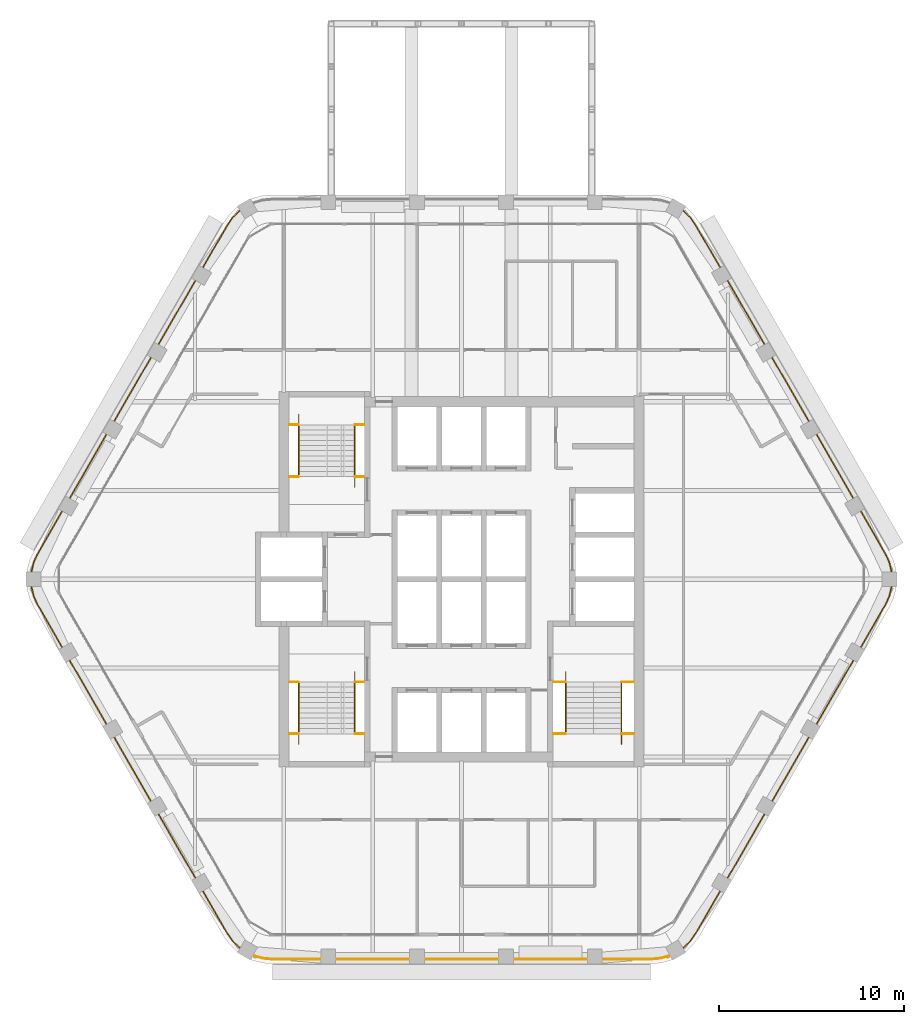
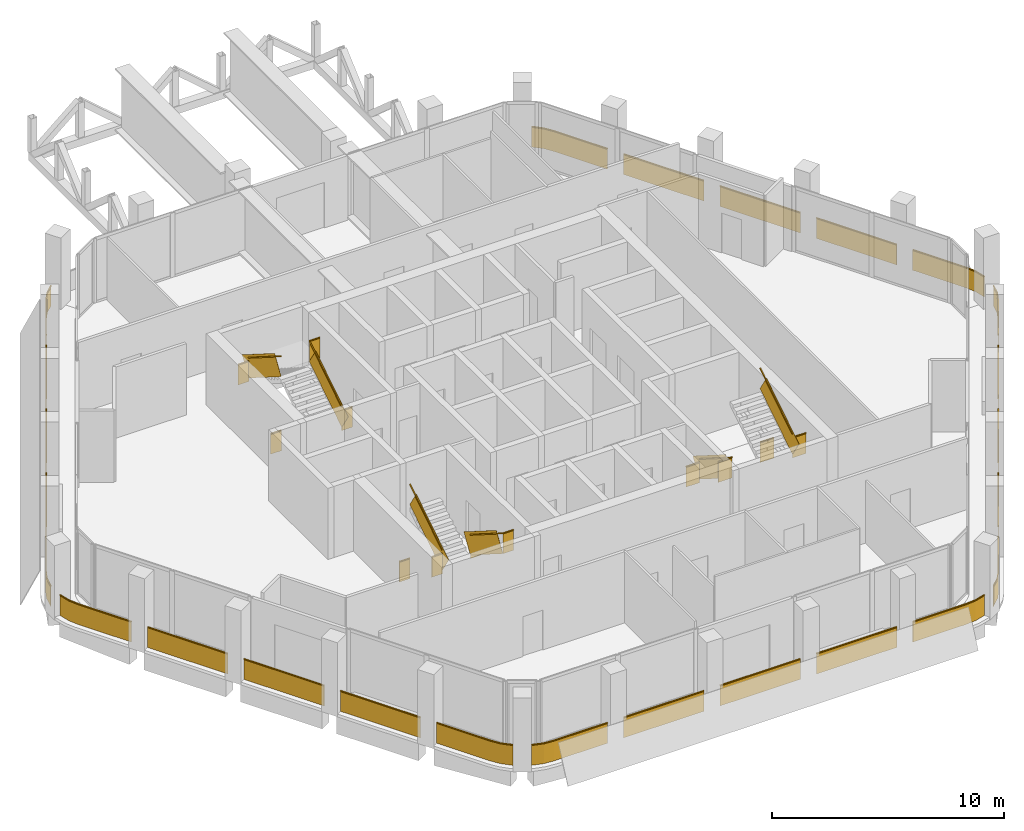
# One storey, part 13 of 14: 11 railings.
"""IFC4 building model written with IfcOpenShell, lengths in metres."""

from ifc_helpers import new_model, si_unit, direction, frame, frame_2d, origin, origin_2d, place, context, subcontext, project, spatial, rectangle, extrude, material, type_object, element, save


model = new_model("IFC4")

# Units and contexts
model_context = context("Model", 3, precision=1e-05, world=origin(), true_north=direction((0.0, 1.0)))
body_context = subcontext(model_context, "Body", "Model", "MODEL_VIEW")
ifc_project = project(units=[si_unit("LENGTHUNIT", "METRE"), si_unit("AREAUNIT", "SQUARE_METRE"), si_unit("VOLUMEUNIT", "CUBIC_METRE"), si_unit("PLANEANGLEUNIT", "RADIAN"), si_unit("MASSUNIT", "GRAM", prefix="KILO")], contexts=[model_context])

# Site, building, storey
site_placement = place(None, origin())
site = spatial("IfcSite", under=ifc_project, at=site_placement, CompositionType="ELEMENT")
building_placement = place(site_placement, origin())
building = spatial("IfcBuilding", under=site, at=building_placement, Name="Kolab Exchange Tower", CompositionType="ELEMENT")
storey_placement = place(building_placement, frame((0.0, 0.0, 265.699951171875)))
storey = spatial("IfcBuildingStorey", under=building, at=storey_placement, Name="L59", CompositionType="ELEMENT", Elevation=265.699951171875)

# Railings
ifc_material_1 = material(Name="Stainless steel 316", Category="steel")
railing_type_1 = type_object("IfcRailingType", Name="GUARD 1100", PredefinedType="GUARDRAIL", material=ifc_material_1)
railing_1_placement = place(storey_placement, frame((-9.324951171875, 5.550048828125, 0.0)))
element("IfcRailing", 1, at=railing_1_placement, inside=storey, type_object=railing_type_1, Name="Guard ST1", PredefinedType="GUARDRAIL", context=body_context, shape_type="SweptSolid", body=[
    extrude(rectangle(XDim=0.05, YDim=0.05, at=origin_2d()), frame((0.0, 0.0, 1.0751953125), z_axis=(1.0, 0.0, 0.0), x_axis=(0.0, 1.0, 0.0)), (0.0, 0.0, 1.0), 0.52734375),
    extrude(rectangle(XDim=0.012, YDim=1.05009765625, at=frame_2d((0.0, 0.525146484375))), frame((0.0, 0.0, 0.0), z_axis=(1.0, 0.0, 0.0), x_axis=(0.0, 1.0, 0.0)), (0.0, 0.0, 1.0), 0.52734375),
    extrude(rectangle(XDim=0.05, YDim=0.05, at=origin_2d()), frame((3.54736328125, 0.0, 1.0751953125), z_axis=(1.0, 0.0, 0.0), x_axis=(0.0, 1.0, 0.0)), (0.0, 0.0, 1.0), 0.527587890625),
    extrude(rectangle(XDim=0.012, YDim=1.05009765625, at=frame_2d((0.0, 0.525146484375))), frame((3.54736328125, 0.0, 0.0), z_axis=(1.0, 0.0, 0.0), x_axis=(0.0, 1.0, 0.0)), (0.0, 0.0, 1.0), 0.527587890625),
    extrude(rectangle(XDim=0.05, YDim=0.05, at=origin_2d()), frame((0.0, 2.800048828125, 3.025146484375), z_axis=(1.0, 0.0, 0.0), x_axis=(0.0, 1.0, 0.0)), (0.0, 0.0, 1.0), 0.52734375),
    extrude(rectangle(XDim=0.012, YDim=1.05009765625, at=frame_2d((0.0, 0.525146484375))), frame((0.0, 2.800048828125, 1.949951171875), z_axis=(1.0, 0.0, 0.0), x_axis=(0.0, 1.0, 0.0)), (0.0, 0.0, 1.0), 0.52734375),
    extrude(rectangle(XDim=0.05, YDim=0.05, at=origin_2d()), frame((3.54736328125, 2.800048828125, 3.025146484375), z_axis=(1.0, 0.0, 0.0), x_axis=(0.0, 1.0, 0.0)), (0.0, 0.0, 1.0), 0.527587890625),
    extrude(rectangle(XDim=0.012, YDim=1.05009765625, at=frame_2d((0.0, 0.525146484375))), frame((3.54736328125, 2.800048828125, 1.949951171875), z_axis=(1.0, 0.0, 0.0), x_axis=(0.0, 1.0, 0.0)), (0.0, 0.0, 1.0), 0.527587890625),
])
railing_2_placement = place(storey_placement, frame((-5.777587890625, 5.550048828125, 0.17724609375)))
element("IfcRailing", 2, at=railing_2_placement, inside=storey, type_object=railing_type_1, Name="Handrail guard ST1", PredefinedType="GUARDRAIL", context=body_context, shape_type="SweptSolid", body=[
    extrude(rectangle(XDim=0.05, YDim=0.05, at=origin_2d()), frame((0.0, 0.0, 1.0751953125), z_axis=(0.0, 0.844908973607, 0.534910110503), x_axis=(-1.0, 0.0, 0.0)), (0.0, 0.0, 1.0), 3.31396484375),
    extrude(rectangle(XDim=0.012, YDim=1.05009765625, at=frame_2d((0.0, 0.525146484375))), frame((0.0, 0.0, 0.0), z_axis=(0.0, 0.844908973607, 0.534910110503), x_axis=(-1.0, 0.0, 0.0)), (0.0, 0.0, 1.0), 3.31396484375),
    extrude(rectangle(XDim=0.05, YDim=0.05, at=origin_2d()), frame((-3.02001953125, 2.800048828125, 3.025390625), z_axis=(0.0, -0.844908973607, 0.534910110503), x_axis=(1.0, 0.0, 0.0)), (0.0, 0.0, 1.0), 3.31396484375),
    extrude(rectangle(XDim=0.012, YDim=1.05009765625, at=frame_2d((0.0, 0.525146484375))), frame((-3.02001953125, 2.800048828125, 1.9501953125), z_axis=(0.0, -0.844908973607, 0.534910110503), x_axis=(1.0, 0.0, 0.0)), (0.0, 0.0, 1.0), 3.31396484375),
])
railing_3_placement = place(storey_placement, frame((-9.324951171875, -5.550048828125, 0.0)))
element("IfcRailing", 3, at=railing_3_placement, inside=storey, type_object=railing_type_1, Name="Guard ST3", PredefinedType="GUARDRAIL", context=body_context, shape_type="SweptSolid", body=[
    extrude(rectangle(XDim=0.05, YDim=0.05, at=origin_2d()), frame((0.0, 0.0, 1.0751953125), z_axis=(1.0, 0.0, 0.0), x_axis=(0.0, 1.0, 0.0)), (0.0, 0.0, 1.0), 0.52734375),
    extrude(rectangle(XDim=0.012, YDim=1.05009765625, at=frame_2d((0.0, 0.525146484375))), frame((0.0, 0.0, 0.0), z_axis=(1.0, 0.0, 0.0), x_axis=(0.0, 1.0, 0.0)), (0.0, 0.0, 1.0), 0.52734375),
    extrude(rectangle(XDim=0.05, YDim=0.05, at=origin_2d()), frame((3.54736328125, 0.0, 1.0751953125), z_axis=(1.0, 0.0, 0.0), x_axis=(0.0, 1.0, 0.0)), (0.0, 0.0, 1.0), 0.527587890625),
    extrude(rectangle(XDim=0.012, YDim=1.05009765625, at=frame_2d((0.0, 0.525146484375))), frame((3.54736328125, 0.0, 0.0), z_axis=(1.0, 0.0, 0.0), x_axis=(0.0, 1.0, 0.0)), (0.0, 0.0, 1.0), 0.527587890625),
    extrude(rectangle(XDim=0.05, YDim=0.05, at=origin_2d()), frame((0.0, -2.800048828125, 3.025146484375), z_axis=(1.0, 0.0, 0.0), x_axis=(0.0, 1.0, 0.0)), (0.0, 0.0, 1.0), 0.52734375),
    extrude(rectangle(XDim=0.012, YDim=1.05009765625, at=frame_2d((0.0, 0.525146484375))), frame((0.0, -2.800048828125, 1.949951171875), z_axis=(1.0, 0.0, 0.0), x_axis=(0.0, 1.0, 0.0)), (0.0, 0.0, 1.0), 0.52734375),
    extrude(rectangle(XDim=0.05, YDim=0.05, at=origin_2d()), frame((3.54736328125, -2.800048828125, 3.025146484375), z_axis=(1.0, 0.0, 0.0), x_axis=(0.0, 1.0, 0.0)), (0.0, 0.0, 1.0), 0.527587890625),
    extrude(rectangle(XDim=0.012, YDim=1.05009765625, at=frame_2d((0.0, 0.525146484375))), frame((3.54736328125, -2.800048828125, 1.949951171875), z_axis=(1.0, 0.0, 0.0), x_axis=(0.0, 1.0, 0.0)), (0.0, 0.0, 1.0), 0.527587890625),
])
railing_4_placement = place(storey_placement, frame((-5.777587890625, -5.550048828125, 0.17724609375)))
element("IfcRailing", 4, at=railing_4_placement, inside=storey, type_object=railing_type_1, Name="Handrail guard ST3", PredefinedType="GUARDRAIL", context=body_context, shape_type="SweptSolid", body=[
    extrude(rectangle(XDim=0.05, YDim=0.05, at=origin_2d()), frame((0.0, 0.0, 1.0751953125), z_axis=(0.0, -0.844908973607, 0.534910110503), x_axis=(1.0, 0.0, 0.0)), (0.0, 0.0, 1.0), 3.31396484375),
    extrude(rectangle(XDim=0.012, YDim=1.05009765625, at=frame_2d((0.0, 0.525146484375))), frame((0.0, 0.0, 0.0), z_axis=(0.0, -0.844908973607, 0.534910110503), x_axis=(1.0, 0.0, 0.0)), (0.0, 0.0, 1.0), 3.31396484375),
    extrude(rectangle(XDim=0.05, YDim=0.05, at=origin_2d()), frame((-3.02001953125, -2.800048828125, 3.025390625), z_axis=(0.0, 0.844908973607, 0.534910110503), x_axis=(-1.0, 0.0, 0.0)), (0.0, 0.0, 1.0), 3.31396484375),
    extrude(rectangle(XDim=0.012, YDim=1.05009765625, at=frame_2d((0.0, 0.525146484375))), frame((-3.02001953125, -2.800048828125, 1.9501953125), z_axis=(0.0, 0.844908973607, 0.534910110503), x_axis=(-1.0, 0.0, 0.0)), (0.0, 0.0, 1.0), 3.31396484375),
])
railing_5_placement = place(storey_placement, frame((4.949951171875, -5.550048828125, 0.0)))
element("IfcRailing", 5, at=railing_5_placement, inside=storey, type_object=railing_type_1, Name="Guard ST2", PredefinedType="GUARDRAIL", context=body_context, shape_type="SweptSolid", body=[
    extrude(rectangle(XDim=0.05, YDim=0.05, at=origin_2d()), frame((0.0, 0.0, 1.0751953125), z_axis=(1.0, 0.0, 0.0), x_axis=(0.0, 1.0, 0.0)), (0.0, 0.0, 1.0), 0.677490234375),
    extrude(rectangle(XDim=0.012, YDim=1.05009765625, at=frame_2d((0.0, 0.525146484375))), frame((0.0, 0.0, 0.0), z_axis=(1.0, 0.0, 0.0), x_axis=(0.0, 1.0, 0.0)), (0.0, 0.0, 1.0), 0.677490234375),
    extrude(rectangle(XDim=0.05, YDim=0.05, at=origin_2d()), frame((3.697509765625, 0.0, 1.0751953125), z_axis=(1.0, 0.0, 0.0), x_axis=(0.0, 1.0, 0.0)), (0.0, 0.0, 1.0), 0.677490234375),
    extrude(rectangle(XDim=0.012, YDim=1.05009765625, at=frame_2d((0.0, 0.525146484375))), frame((3.697509765625, 0.0, 0.0), z_axis=(1.0, 0.0, 0.0), x_axis=(0.0, 1.0, 0.0)), (0.0, 0.0, 1.0), 0.677490234375),
    extrude(rectangle(XDim=0.05, YDim=0.05, at=origin_2d()), frame((0.0, -2.800048828125, 3.025146484375), z_axis=(1.0, 0.0, 0.0), x_axis=(0.0, 1.0, 0.0)), (0.0, 0.0, 1.0), 0.677490234375),
    extrude(rectangle(XDim=0.012, YDim=1.05009765625, at=frame_2d((0.0, 0.525146484375))), frame((0.0, -2.800048828125, 1.949951171875), z_axis=(1.0, 0.0, 0.0), x_axis=(0.0, 1.0, 0.0)), (0.0, 0.0, 1.0), 0.677490234375),
    extrude(rectangle(XDim=0.05, YDim=0.05, at=origin_2d()), frame((3.697509765625, -2.800048828125, 3.025146484375), z_axis=(1.0, 0.0, 0.0), x_axis=(0.0, 1.0, 0.0)), (0.0, 0.0, 1.0), 0.677490234375),
    extrude(rectangle(XDim=0.012, YDim=1.05009765625, at=frame_2d((0.0, 0.525146484375))), frame((3.697509765625, -2.800048828125, 1.949951171875), z_axis=(1.0, 0.0, 0.0), x_axis=(0.0, 1.0, 0.0)), (0.0, 0.0, 1.0), 0.677490234375),
])
railing_6_placement = place(storey_placement, frame((5.62744140625, -5.550048828125, 0.17724609375)))
element("IfcRailing", 6, at=railing_6_placement, inside=storey, type_object=railing_type_1, Name="Handrail guard ST2", PredefinedType="GUARDRAIL", context=body_context, shape_type="SweptSolid", body=[
    extrude(rectangle(XDim=0.05, YDim=0.05, at=origin_2d()), frame((0.0, 0.0, 1.0751953125), z_axis=(0.0, -0.844908973607, 0.534910110503), x_axis=(1.0, 0.0, 0.0)), (0.0, 0.0, 1.0), 3.31396484375),
    extrude(rectangle(XDim=0.012, YDim=1.05009765625, at=frame_2d((0.0, 0.525146484375))), frame((0.0, 0.0, 0.0), z_axis=(0.0, -0.844908973607, 0.534910110503), x_axis=(1.0, 0.0, 0.0)), (0.0, 0.0, 1.0), 3.31396484375),
    extrude(rectangle(XDim=0.05, YDim=0.05, at=origin_2d()), frame((3.02001953125, -2.800048828125, 3.025390625), z_axis=(0.0, 0.844908973607, 0.534910110503), x_axis=(-1.0, 0.0, 0.0)), (0.0, 0.0, 1.0), 3.31396484375),
    extrude(rectangle(XDim=0.012, YDim=1.05009765625, at=frame_2d((0.0, 0.525146484375))), frame((3.02001953125, -2.800048828125, 1.9501953125), z_axis=(0.0, 0.844908973607, 0.534910110503), x_axis=(-1.0, 0.0, 0.0)), (0.0, 0.0, 1.0), 3.31396484375),
])
ifc_material_2 = material(Name="Steel S235", Category="steel")
railing_type_2 = type_object("IfcRailingType", Name="GUARD 1100 GLASS BALUSTRADE AND STEEL TOP RAIL", PredefinedType="GUARDRAIL", material=ifc_material_2)
railing_7_placement = place(storey_placement, frame((23.2509765625, 0.3984375, 0.0)))
element("IfcRailing", 7, at=railing_7_placement, inside=storey, type_object=railing_type_2, Name="Guard", PredefinedType="GUARDRAIL", context=body_context, shape_type="SweptSolid", body=[
    extrude(rectangle(XDim=0.05, YDim=0.05, at=origin_2d()), frame((0.0, 0.0, 1.0751953125), z_axis=(-0.234597748196, 0.972092534968, 0.0), x_axis=(-0.972092534968, -0.234597748196, 0.0)), (0.0, 0.0, 1.0), 0.557861328125),
    extrude(rectangle(XDim=0.012, YDim=1.05009765625, at=frame_2d((0.0, 0.525146484375))), frame((0.0, 0.0, 0.0), z_axis=(-0.234597748196, 0.972092534968, 0.0), x_axis=(-0.972092534968, -0.234597748196, 0.0)), (0.0, 0.0, 1.0), 0.557861328125),
    extrude(rectangle(XDim=0.05, YDim=0.05, at=origin_2d()), frame((-0.130859375, 0.542236328125, 1.0751953125), z_axis=(-0.422801802984, 0.906222177721, 0.0), x_axis=(-0.906222177721, -0.422801802984, 0.0)), (0.0, 0.0, 1.0), 0.479248046875),
    extrude(rectangle(XDim=0.012, YDim=1.05009765625, at=frame_2d((0.0, 0.525146484375))), frame((-0.130859375, 0.542236328125, 0.0), z_axis=(-0.422801802984, 0.906222177721, 0.0), x_axis=(-0.906222177721, -0.422801802984, 0.0)), (0.0, 0.0, 1.0), 0.479248046875),
    extrude(rectangle(XDim=0.05, YDim=0.05, at=origin_2d()), frame((-0.33349609375, 0.9765625, 1.0751953125), z_axis=(-0.499997052475, 0.866027105532, 0.0), x_axis=(-0.866027105532, -0.499997052475, 0.0)), (0.0, 0.0, 1.0), 2.66796875),
    extrude(rectangle(XDim=0.012, YDim=1.05009765625, at=frame_2d((0.0, 0.525146484375))), frame((-0.33349609375, 0.9765625, 0.0), z_axis=(-0.499997052475, 0.866027105532, 0.0), x_axis=(-0.866027105532, -0.499997052475, 0.0)), (0.0, 0.0, 1.0), 2.66796875),
    extrude(rectangle(XDim=0.05, YDim=0.05, at=origin_2d()), frame((-2.0673828125, 3.97998046875, 1.0751953125), z_axis=(-0.49999894854, 0.866026010844, 0.0), x_axis=(-0.866026010844, -0.49999894854, 0.0)), (0.0, 0.0, 1.0), 4.0),
    extrude(rectangle(XDim=0.012, YDim=1.05009765625, at=frame_2d((0.0, 0.525146484375))), frame((-2.0673828125, 3.97998046875, 0.0), z_axis=(-0.49999894854, 0.866026010844, 0.0), x_axis=(-0.866026010844, -0.49999894854, 0.0)), (0.0, 0.0, 1.0), 4.0),
    extrude(rectangle(XDim=0.05, YDim=0.05, at=origin_2d()), frame((-4.467529296875, 8.13671875, 1.0751953125), z_axis=(-0.49999894854, 0.866026010844, 0.0), x_axis=(-0.866026010844, -0.49999894854, 0.0)), (0.0, 0.0, 1.0), 4.0),
    extrude(rectangle(XDim=0.012, YDim=1.05009765625, at=frame_2d((0.0, 0.525146484375))), frame((-4.467529296875, 8.13671875, 0.0), z_axis=(-0.49999894854, 0.866026010844, 0.0), x_axis=(-0.866026010844, -0.49999894854, 0.0)), (0.0, 0.0, 1.0), 4.0),
    extrude(rectangle(XDim=0.05, YDim=0.05, at=origin_2d()), frame((-6.867431640625, 12.293701171875, 1.0751953125), z_axis=(-0.49999894854, 0.866026010844, 0.0), x_axis=(-0.866026010844, -0.49999894854, 0.0)), (0.0, 0.0, 1.0), 4.0),
    extrude(rectangle(XDim=0.012, YDim=1.05009765625, at=frame_2d((0.0, 0.525146484375))), frame((-6.867431640625, 12.293701171875, 0.0), z_axis=(-0.49999894854, 0.866026010844, 0.0), x_axis=(-0.866026010844, -0.49999894854, 0.0)), (0.0, 0.0, 1.0), 4.0),
    extrude(rectangle(XDim=0.05, YDim=0.05, at=origin_2d()), frame((-9.267578125, 16.45068359375, 1.0751953125), z_axis=(-0.499997052475, 0.866027105532, 0.0), x_axis=(-0.866027105532, -0.499997052475, 0.0)), (0.0, 0.0, 1.0), 2.66796875),
    extrude(rectangle(XDim=0.012, YDim=1.05009765625, at=frame_2d((0.0, 0.525146484375))), frame((-9.267578125, 16.45068359375, 0.0), z_axis=(-0.499997052475, 0.866027105532, 0.0), x_axis=(-0.866027105532, -0.499997052475, 0.0)), (0.0, 0.0, 1.0), 2.66796875),
    extrude(rectangle(XDim=0.05, YDim=0.05, at=origin_2d()), frame((-10.6015625, 18.76123046875, 1.0751953125), z_axis=(-0.573599091554, 0.819136180478, 0.0), x_axis=(-0.819136180478, -0.573599091554, 0.0)), (0.0, 0.0, 1.0), 0.479248046875),
    extrude(rectangle(XDim=0.012, YDim=1.05009765625, at=frame_2d((0.0, 0.525146484375))), frame((-10.6015625, 18.76123046875, 0.0), z_axis=(-0.573599091554, 0.819136180478, 0.0), x_axis=(-0.819136180478, -0.573599091554, 0.0)), (0.0, 0.0, 1.0), 0.479248046875),
    extrude(rectangle(XDim=0.05, YDim=0.05, at=origin_2d()), frame((-10.87646484375, 19.15380859375, 1.0751953125), z_axis=(-0.724189990991, 0.689600505327, 0.0), x_axis=(-0.689600505327, -0.724189990991, 0.0)), (0.0, 0.0, 1.0), 0.5576171875),
    extrude(rectangle(XDim=0.012, YDim=1.05009765625, at=frame_2d((0.0, 0.525146484375))), frame((-10.87646484375, 19.15380859375, 0.0), z_axis=(-0.724189990991, 0.689600505327, 0.0), x_axis=(-0.689600505327, -0.724189990991, 0.0)), (0.0, 0.0, 1.0), 0.5576171875),
])
railing_8_placement = place(storey_placement, frame((11.970703125, -19.936767578125, 0.0)))
element("IfcRailing", 8, at=railing_8_placement, inside=storey, type_object=railing_type_2, Name="Guard", PredefinedType="GUARDRAIL", context=body_context, shape_type="SweptSolid", body=[
    extrude(rectangle(XDim=0.05, YDim=0.05, at=origin_2d()), frame((0.0, 0.0, 1.0751953125), z_axis=(0.724189990991, 0.689600505327, 0.0), x_axis=(-0.689600505327, 0.724189990991, 0.0)), (0.0, 0.0, 1.0), 0.5576171875),
    extrude(rectangle(XDim=0.012, YDim=1.05009765625, at=frame_2d((0.0, 0.525146484375))), frame((0.0, 0.0, 0.0), z_axis=(0.724189990991, 0.689600505327, 0.0), x_axis=(-0.689600505327, 0.724189990991, 0.0)), (0.0, 0.0, 1.0), 0.5576171875),
    extrude(rectangle(XDim=0.05, YDim=0.05, at=origin_2d()), frame((0.40380859375, 0.384521484375, 1.0751953125), z_axis=(0.573599091554, 0.819136180478, 0.0), x_axis=(-0.819136180478, 0.573599091554, 0.0)), (0.0, 0.0, 1.0), 0.479248046875),
    extrude(rectangle(XDim=0.012, YDim=1.05009765625, at=frame_2d((0.0, 0.525146484375))), frame((0.40380859375, 0.384521484375, 0.0), z_axis=(0.573599091554, 0.819136180478, 0.0), x_axis=(-0.819136180478, 0.573599091554, 0.0)), (0.0, 0.0, 1.0), 0.479248046875),
    extrude(rectangle(XDim=0.05, YDim=0.05, at=origin_2d()), frame((0.6787109375, 0.777099609375, 1.0751953125), z_axis=(0.499997052475, 0.866027105532, 0.0), x_axis=(-0.866027105532, 0.499997052475, 0.0)), (0.0, 0.0, 1.0), 2.66796875),
    extrude(rectangle(XDim=0.012, YDim=1.05009765625, at=frame_2d((0.0, 0.525146484375))), frame((0.6787109375, 0.777099609375, 0.0), z_axis=(0.499997052475, 0.866027105532, 0.0), x_axis=(-0.866027105532, 0.499997052475, 0.0)), (0.0, 0.0, 1.0), 2.66796875),
    extrude(rectangle(XDim=0.05, YDim=0.05, at=origin_2d()), frame((2.412841796875, 3.780517578125, 1.0751953125), z_axis=(0.49999894854, 0.866026010844, 0.0), x_axis=(-0.866026010844, 0.49999894854, 0.0)), (0.0, 0.0, 1.0), 4.0),
    extrude(rectangle(XDim=0.012, YDim=1.05009765625, at=frame_2d((0.0, 0.525146484375))), frame((2.412841796875, 3.780517578125, 0.0), z_axis=(0.49999894854, 0.866026010844, 0.0), x_axis=(-0.866026010844, 0.49999894854, 0.0)), (0.0, 0.0, 1.0), 4.0),
    extrude(rectangle(XDim=0.05, YDim=0.05, at=origin_2d()), frame((4.812744140625, 7.9375, 1.0751953125), z_axis=(0.49999894854, 0.866026010844, 0.0), x_axis=(-0.866026010844, 0.49999894854, 0.0)), (0.0, 0.0, 1.0), 4.0),
    extrude(rectangle(XDim=0.012, YDim=1.05009765625, at=frame_2d((0.0, 0.525146484375))), frame((4.812744140625, 7.9375, 0.0), z_axis=(0.49999894854, 0.866026010844, 0.0), x_axis=(-0.866026010844, 0.49999894854, 0.0)), (0.0, 0.0, 1.0), 4.0),
    extrude(rectangle(XDim=0.05, YDim=0.05, at=origin_2d()), frame((7.212890625, 12.09423828125, 1.0751953125), z_axis=(0.49999894854, 0.866026010844, 0.0), x_axis=(-0.866026010844, 0.49999894854, 0.0)), (0.0, 0.0, 1.0), 4.0),
    extrude(rectangle(XDim=0.012, YDim=1.05009765625, at=frame_2d((0.0, 0.525146484375))), frame((7.212890625, 12.09423828125, 0.0), z_axis=(0.49999894854, 0.866026010844, 0.0), x_axis=(-0.866026010844, 0.49999894854, 0.0)), (0.0, 0.0, 1.0), 4.0),
    extrude(rectangle(XDim=0.05, YDim=0.05, at=origin_2d()), frame((9.61279296875, 16.251220703125, 1.0751953125), z_axis=(0.499997052475, 0.866027105532, 0.0), x_axis=(-0.866027105532, 0.499997052475, 0.0)), (0.0, 0.0, 1.0), 2.66796875),
    extrude(rectangle(XDim=0.012, YDim=1.05009765625, at=frame_2d((0.0, 0.525146484375))), frame((9.61279296875, 16.251220703125, 0.0), z_axis=(0.499997052475, 0.866027105532, 0.0), x_axis=(-0.866027105532, 0.499997052475, 0.0)), (0.0, 0.0, 1.0), 2.66796875),
    extrude(rectangle(XDim=0.05, YDim=0.05, at=origin_2d()), frame((10.94677734375, 18.561767578125, 1.0751953125), z_axis=(0.422801802984, 0.906222177721, 0.0), x_axis=(-0.906222177721, 0.422801802984, 0.0)), (0.0, 0.0, 1.0), 0.479248046875),
    extrude(rectangle(XDim=0.012, YDim=1.05009765625, at=frame_2d((0.0, 0.525146484375))), frame((10.94677734375, 18.561767578125, 0.0), z_axis=(0.422801802984, 0.906222177721, 0.0), x_axis=(-0.906222177721, 0.422801802984, 0.0)), (0.0, 0.0, 1.0), 0.479248046875),
    extrude(rectangle(XDim=0.05, YDim=0.05, at=origin_2d()), frame((11.1494140625, 18.99609375, 1.0751953125), z_axis=(0.234597748196, 0.972092534968, 0.0), x_axis=(-0.972092534968, 0.234597748196, 0.0)), (0.0, 0.0, 1.0), 0.557861328125),
    extrude(rectangle(XDim=0.012, YDim=1.05009765625, at=frame_2d((0.0, 0.525146484375))), frame((11.1494140625, 18.99609375, 0.0), z_axis=(0.234597748196, 0.972092534968, 0.0), x_axis=(-0.972092534968, 0.234597748196, 0.0)), (0.0, 0.0, 1.0), 0.557861328125),
])
railing_9_placement = place(storey_placement, frame((-11.280517578125, -20.335205078125, 0.0)))
element("IfcRailing", 9, at=railing_9_placement, inside=storey, type_object=railing_type_2, Name="Guard", PredefinedType="GUARDRAIL", context=body_context, shape_type="SweptSolid", body=[
    extrude(rectangle(XDim=0.05, YDim=0.05, at=origin_2d()), frame((0.0, 0.0, 1.0751953125), z_axis=(0.959212061764, -0.282687496304, 0.0), x_axis=(0.282687496304, 0.959212061764, 0.0)), (0.0, 0.0, 1.0), 0.557861328125),
    extrude(rectangle(XDim=0.012, YDim=1.05009765625, at=frame_2d((0.0, 0.525146484375))), frame((0.0, 0.0, 0.0), z_axis=(0.959212061764, -0.282687496304, 0.0), x_axis=(0.282687496304, 0.959212061764, 0.0)), (0.0, 0.0, 1.0), 0.557861328125),
    extrude(rectangle(XDim=0.05, YDim=0.05, at=origin_2d()), frame((0.53515625, -0.15771484375, 1.0751953125), z_axis=(0.996196482496, -0.087135344505, 0.0), x_axis=(0.087135344505, 0.996196482496, 0.0)), (0.0, 0.0, 1.0), 0.47900390625),
    extrude(rectangle(XDim=0.012, YDim=1.05009765625, at=frame_2d((0.0, 0.525146484375))), frame((0.53515625, -0.15771484375, 0.0), z_axis=(0.996196482496, -0.087135344505, 0.0), x_axis=(0.087135344505, 0.996196482496, 0.0)), (0.0, 0.0, 1.0), 0.47900390625),
    extrude(rectangle(XDim=0.05, YDim=0.05, at=origin_2d()), frame((1.012451171875, -0.199462890625, 1.0751953125), z_axis=(1.0, 0.0, 0.0), x_axis=(0.0, 1.0, 0.0)), (0.0, 0.0, 1.0), 2.66796875),
    extrude(rectangle(XDim=0.012, YDim=1.05009765625, at=frame_2d((0.0, 0.525146484375))), frame((1.012451171875, -0.199462890625, 0.0), z_axis=(1.0, 0.0, 0.0), x_axis=(0.0, 1.0, 0.0)), (0.0, 0.0, 1.0), 2.66796875),
    extrude(rectangle(XDim=0.05, YDim=0.05, at=origin_2d()), frame((4.48046875, -0.199462890625, 1.0751953125), z_axis=(1.0, 0.0, 0.0), x_axis=(0.0, 1.0, 0.0)), (0.0, 0.0, 1.0), 4.0),
    extrude(rectangle(XDim=0.012, YDim=1.05009765625, at=frame_2d((0.0, 0.525146484375))), frame((4.48046875, -0.199462890625, 0.0), z_axis=(1.0, 0.0, 0.0), x_axis=(0.0, 1.0, 0.0)), (0.0, 0.0, 1.0), 4.0),
    extrude(rectangle(XDim=0.05, YDim=0.05, at=origin_2d()), frame((9.280517578125, -0.199462890625, 1.0751953125), z_axis=(1.0, 0.0, 0.0), x_axis=(0.0, 1.0, 0.0)), (0.0, 0.0, 1.0), 4.0),
    extrude(rectangle(XDim=0.012, YDim=1.05009765625, at=frame_2d((0.0, 0.525146484375))), frame((9.280517578125, -0.199462890625, 0.0), z_axis=(1.0, 0.0, 0.0), x_axis=(0.0, 1.0, 0.0)), (0.0, 0.0, 1.0), 4.0),
    extrude(rectangle(XDim=0.05, YDim=0.05, at=origin_2d()), frame((14.08056640625, -0.199462890625, 1.0751953125), z_axis=(1.0, 0.0, 0.0), x_axis=(0.0, 1.0, 0.0)), (0.0, 0.0, 1.0), 4.0),
    extrude(rectangle(XDim=0.012, YDim=1.05009765625, at=frame_2d((0.0, 0.525146484375))), frame((14.08056640625, -0.199462890625, 0.0), z_axis=(1.0, 0.0, 0.0), x_axis=(0.0, 1.0, 0.0)), (0.0, 0.0, 1.0), 4.0),
    extrude(rectangle(XDim=0.05, YDim=0.05, at=origin_2d()), frame((18.880615234375, -0.199462890625, 1.0751953125), z_axis=(1.0, 0.0, 0.0), x_axis=(0.0, 1.0, 0.0)), (0.0, 0.0, 1.0), 2.66796875),
    extrude(rectangle(XDim=0.012, YDim=1.05009765625, at=frame_2d((0.0, 0.525146484375))), frame((18.880615234375, -0.199462890625, 0.0), z_axis=(1.0, 0.0, 0.0), x_axis=(0.0, 1.0, 0.0)), (0.0, 0.0, 1.0), 2.66796875),
    extrude(rectangle(XDim=0.05, YDim=0.05, at=origin_2d()), frame((21.548583984375, -0.199462890625, 1.0751953125), z_axis=(0.996196482496, 0.087135344505, 0.0), x_axis=(-0.087135344505, 0.996196482496, 0.0)), (0.0, 0.0, 1.0), 0.47900390625),
    extrude(rectangle(XDim=0.012, YDim=1.05009765625, at=frame_2d((0.0, 0.525146484375))), frame((21.548583984375, -0.199462890625, 0.0), z_axis=(0.996196482496, 0.087135344505, 0.0), x_axis=(-0.087135344505, 0.996196482496, 0.0)), (0.0, 0.0, 1.0), 0.47900390625),
    extrude(rectangle(XDim=0.05, YDim=0.05, at=origin_2d()), frame((22.02587890625, -0.15771484375, 1.0751953125), z_axis=(0.959212061764, 0.282687496304, 0.0), x_axis=(-0.282687496304, 0.959212061764, 0.0)), (0.0, 0.0, 1.0), 0.557861328125),
    extrude(rectangle(XDim=0.012, YDim=1.05009765625, at=frame_2d((0.0, 0.525146484375))), frame((22.02587890625, -0.15771484375, 0.0), z_axis=(0.959212061764, 0.282687496304, 0.0), x_axis=(-0.282687496304, 0.959212061764, 0.0)), (0.0, 0.0, 1.0), 0.557861328125),
])
railing_10_placement = place(storey_placement, frame((-23.2509765625, -0.3984375, 0.0)))
element("IfcRailing", 10, at=railing_10_placement, inside=storey, type_object=railing_type_2, Name="Guard", PredefinedType="GUARDRAIL", context=body_context, shape_type="SweptSolid", body=[
    extrude(rectangle(XDim=0.05, YDim=0.05, at=origin_2d()), frame((0.0, 0.0, 1.0751953125), z_axis=(0.234597748196, -0.972092534968, 0.0), x_axis=(0.972092534968, 0.234597748196, 0.0)), (0.0, 0.0, 1.0), 0.557861328125),
    extrude(rectangle(XDim=0.012, YDim=1.05009765625, at=frame_2d((0.0, 0.525146484375))), frame((0.0, 0.0, 0.0), z_axis=(0.234597748196, -0.972092534968, 0.0), x_axis=(0.972092534968, 0.234597748196, 0.0)), (0.0, 0.0, 1.0), 0.557861328125),
    extrude(rectangle(XDim=0.05, YDim=0.05, at=origin_2d()), frame((0.130859375, -0.542236328125, 1.0751953125), z_axis=(0.422801802984, -0.906222177721, 0.0), x_axis=(0.906222177721, 0.422801802984, 0.0)), (0.0, 0.0, 1.0), 0.479248046875),
    extrude(rectangle(XDim=0.012, YDim=1.05009765625, at=frame_2d((0.0, 0.525146484375))), frame((0.130859375, -0.542236328125, 0.0), z_axis=(0.422801802984, -0.906222177721, 0.0), x_axis=(0.906222177721, 0.422801802984, 0.0)), (0.0, 0.0, 1.0), 0.479248046875),
    extrude(rectangle(XDim=0.05, YDim=0.05, at=origin_2d()), frame((0.33349609375, -0.9765625, 1.0751953125), z_axis=(0.499997052475, -0.866027105532, 0.0), x_axis=(0.866027105532, 0.499997052475, 0.0)), (0.0, 0.0, 1.0), 2.66796875),
    extrude(rectangle(XDim=0.012, YDim=1.05009765625, at=frame_2d((0.0, 0.525146484375))), frame((0.33349609375, -0.9765625, 0.0), z_axis=(0.499997052475, -0.866027105532, 0.0), x_axis=(0.866027105532, 0.499997052475, 0.0)), (0.0, 0.0, 1.0), 2.66796875),
    extrude(rectangle(XDim=0.05, YDim=0.05, at=origin_2d()), frame((2.0673828125, -3.97998046875, 1.0751953125), z_axis=(0.49999894854, -0.866026010844, 0.0), x_axis=(0.866026010844, 0.49999894854, 0.0)), (0.0, 0.0, 1.0), 4.0),
    extrude(rectangle(XDim=0.012, YDim=1.05009765625, at=frame_2d((0.0, 0.525146484375))), frame((2.0673828125, -3.97998046875, 0.0), z_axis=(0.49999894854, -0.866026010844, 0.0), x_axis=(0.866026010844, 0.49999894854, 0.0)), (0.0, 0.0, 1.0), 4.0),
    extrude(rectangle(XDim=0.05, YDim=0.05, at=origin_2d()), frame((4.467529296875, -8.13671875, 1.0751953125), z_axis=(0.49999894854, -0.866026010844, 0.0), x_axis=(0.866026010844, 0.49999894854, 0.0)), (0.0, 0.0, 1.0), 4.0),
    extrude(rectangle(XDim=0.012, YDim=1.05009765625, at=frame_2d((0.0, 0.525146484375))), frame((4.467529296875, -8.13671875, 0.0), z_axis=(0.49999894854, -0.866026010844, 0.0), x_axis=(0.866026010844, 0.49999894854, 0.0)), (0.0, 0.0, 1.0), 4.0),
    extrude(rectangle(XDim=0.05, YDim=0.05, at=origin_2d()), frame((6.867431640625, -12.293701171875, 1.0751953125), z_axis=(0.49999894854, -0.866026010844, 0.0), x_axis=(0.866026010844, 0.49999894854, 0.0)), (0.0, 0.0, 1.0), 4.0),
    extrude(rectangle(XDim=0.012, YDim=1.05009765625, at=frame_2d((0.0, 0.525146484375))), frame((6.867431640625, -12.293701171875, 0.0), z_axis=(0.49999894854, -0.866026010844, 0.0), x_axis=(0.866026010844, 0.49999894854, 0.0)), (0.0, 0.0, 1.0), 4.0),
    extrude(rectangle(XDim=0.05, YDim=0.05, at=origin_2d()), frame((9.267578125, -16.45068359375, 1.0751953125), z_axis=(0.499997052475, -0.866027105532, 0.0), x_axis=(0.866027105532, 0.499997052475, 0.0)), (0.0, 0.0, 1.0), 2.66796875),
    extrude(rectangle(XDim=0.012, YDim=1.05009765625, at=frame_2d((0.0, 0.525146484375))), frame((9.267578125, -16.45068359375, 0.0), z_axis=(0.499997052475, -0.866027105532, 0.0), x_axis=(0.866027105532, 0.499997052475, 0.0)), (0.0, 0.0, 1.0), 2.66796875),
    extrude(rectangle(XDim=0.05, YDim=0.05, at=origin_2d()), frame((10.6015625, -18.76123046875, 1.0751953125), z_axis=(0.573599091554, -0.819136180478, 0.0), x_axis=(0.819136180478, 0.573599091554, 0.0)), (0.0, 0.0, 1.0), 0.479248046875),
    extrude(rectangle(XDim=0.012, YDim=1.05009765625, at=frame_2d((0.0, 0.525146484375))), frame((10.6015625, -18.76123046875, 0.0), z_axis=(0.573599091554, -0.819136180478, 0.0), x_axis=(0.819136180478, 0.573599091554, 0.0)), (0.0, 0.0, 1.0), 0.479248046875),
    extrude(rectangle(XDim=0.05, YDim=0.05, at=origin_2d()), frame((10.87646484375, -19.15380859375, 1.0751953125), z_axis=(0.724189990991, -0.689600505327, 0.0), x_axis=(0.689600505327, 0.724189990991, 0.0)), (0.0, 0.0, 1.0), 0.5576171875),
    extrude(rectangle(XDim=0.012, YDim=1.05009765625, at=frame_2d((0.0, 0.525146484375))), frame((10.87646484375, -19.15380859375, 0.0), z_axis=(0.724189990991, -0.689600505327, 0.0), x_axis=(0.689600505327, 0.724189990991, 0.0)), (0.0, 0.0, 1.0), 0.5576171875),
])
railing_11_placement = place(storey_placement, frame((-11.970703125, 19.936767578125, 0.0)))
element("IfcRailing", 11, at=railing_11_placement, inside=storey, type_object=railing_type_2, Name="Guard", PredefinedType="GUARDRAIL", context=body_context, shape_type="SweptSolid", body=[
    extrude(rectangle(XDim=0.05, YDim=0.05, at=origin_2d()), frame((0.0, 0.0, 1.0751953125), z_axis=(-0.724189990991, -0.689600505327, 0.0), x_axis=(0.689600505327, -0.724189990991, 0.0)), (0.0, 0.0, 1.0), 0.5576171875),
    extrude(rectangle(XDim=0.012, YDim=1.05009765625, at=frame_2d((0.0, 0.525146484375))), frame((0.0, 0.0, 0.0), z_axis=(-0.724189990991, -0.689600505327, 0.0), x_axis=(0.689600505327, -0.724189990991, 0.0)), (0.0, 0.0, 1.0), 0.5576171875),
    extrude(rectangle(XDim=0.05, YDim=0.05, at=origin_2d()), frame((-0.40380859375, -0.384521484375, 1.0751953125), z_axis=(-0.573599091554, -0.819136180478, 0.0), x_axis=(0.819136180478, -0.573599091554, 0.0)), (0.0, 0.0, 1.0), 0.479248046875),
    extrude(rectangle(XDim=0.012, YDim=1.05009765625, at=frame_2d((0.0, 0.525146484375))), frame((-0.40380859375, -0.384521484375, 0.0), z_axis=(-0.573599091554, -0.819136180478, 0.0), x_axis=(0.819136180478, -0.573599091554, 0.0)), (0.0, 0.0, 1.0), 0.479248046875),
    extrude(rectangle(XDim=0.05, YDim=0.05, at=origin_2d()), frame((-0.6787109375, -0.777099609375, 1.0751953125), z_axis=(-0.499997052475, -0.866027105532, 0.0), x_axis=(0.866027105532, -0.499997052475, 0.0)), (0.0, 0.0, 1.0), 2.66796875),
    extrude(rectangle(XDim=0.012, YDim=1.05009765625, at=frame_2d((0.0, 0.525146484375))), frame((-0.6787109375, -0.777099609375, 0.0), z_axis=(-0.499997052475, -0.866027105532, 0.0), x_axis=(0.866027105532, -0.499997052475, 0.0)), (0.0, 0.0, 1.0), 2.66796875),
    extrude(rectangle(XDim=0.05, YDim=0.05, at=origin_2d()), frame((-2.412841796875, -3.780517578125, 1.0751953125), z_axis=(-0.49999894854, -0.866026010844, 0.0), x_axis=(0.866026010844, -0.49999894854, 0.0)), (0.0, 0.0, 1.0), 4.0),
    extrude(rectangle(XDim=0.012, YDim=1.05009765625, at=frame_2d((0.0, 0.525146484375))), frame((-2.412841796875, -3.780517578125, 0.0), z_axis=(-0.49999894854, -0.866026010844, 0.0), x_axis=(0.866026010844, -0.49999894854, 0.0)), (0.0, 0.0, 1.0), 4.0),
    extrude(rectangle(XDim=0.05, YDim=0.05, at=origin_2d()), frame((-4.812744140625, -7.9375, 1.0751953125), z_axis=(-0.49999894854, -0.866026010844, 0.0), x_axis=(0.866026010844, -0.49999894854, 0.0)), (0.0, 0.0, 1.0), 4.0),
    extrude(rectangle(XDim=0.012, YDim=1.05009765625, at=frame_2d((0.0, 0.525146484375))), frame((-4.812744140625, -7.9375, 0.0), z_axis=(-0.49999894854, -0.866026010844, 0.0), x_axis=(0.866026010844, -0.49999894854, 0.0)), (0.0, 0.0, 1.0), 4.0),
    extrude(rectangle(XDim=0.05, YDim=0.05, at=origin_2d()), frame((-7.212890625, -12.09423828125, 1.0751953125), z_axis=(-0.49999894854, -0.866026010844, 0.0), x_axis=(0.866026010844, -0.49999894854, 0.0)), (0.0, 0.0, 1.0), 4.0),
    extrude(rectangle(XDim=0.012, YDim=1.05009765625, at=frame_2d((0.0, 0.525146484375))), frame((-7.212890625, -12.09423828125, 0.0), z_axis=(-0.49999894854, -0.866026010844, 0.0), x_axis=(0.866026010844, -0.49999894854, 0.0)), (0.0, 0.0, 1.0), 4.0),
    extrude(rectangle(XDim=0.05, YDim=0.05, at=origin_2d()), frame((-9.61279296875, -16.251220703125, 1.0751953125), z_axis=(-0.499997052475, -0.866027105532, 0.0), x_axis=(0.866027105532, -0.499997052475, 0.0)), (0.0, 0.0, 1.0), 2.66796875),
    extrude(rectangle(XDim=0.012, YDim=1.05009765625, at=frame_2d((0.0, 0.525146484375))), frame((-9.61279296875, -16.251220703125, 0.0), z_axis=(-0.499997052475, -0.866027105532, 0.0), x_axis=(0.866027105532, -0.499997052475, 0.0)), (0.0, 0.0, 1.0), 2.66796875),
    extrude(rectangle(XDim=0.05, YDim=0.05, at=origin_2d()), frame((-10.94677734375, -18.561767578125, 1.0751953125), z_axis=(-0.422801802984, -0.906222177721, 0.0), x_axis=(0.906222177721, -0.422801802984, 0.0)), (0.0, 0.0, 1.0), 0.479248046875),
    extrude(rectangle(XDim=0.012, YDim=1.05009765625, at=frame_2d((0.0, 0.525146484375))), frame((-10.94677734375, -18.561767578125, 0.0), z_axis=(-0.422801802984, -0.906222177721, 0.0), x_axis=(0.906222177721, -0.422801802984, 0.0)), (0.0, 0.0, 1.0), 0.479248046875),
    extrude(rectangle(XDim=0.05, YDim=0.05, at=origin_2d()), frame((-11.1494140625, -18.99609375, 1.0751953125), z_axis=(-0.234597748196, -0.972092534968, 0.0), x_axis=(0.972092534968, -0.234597748196, 0.0)), (0.0, 0.0, 1.0), 0.557861328125),
    extrude(rectangle(XDim=0.012, YDim=1.05009765625, at=frame_2d((0.0, 0.525146484375))), frame((-11.1494140625, -18.99609375, 0.0), z_axis=(-0.234597748196, -0.972092534968, 0.0), x_axis=(0.972092534968, -0.234597748196, 0.0)), (0.0, 0.0, 1.0), 0.557861328125),
])

save(model, "model.ifc")
